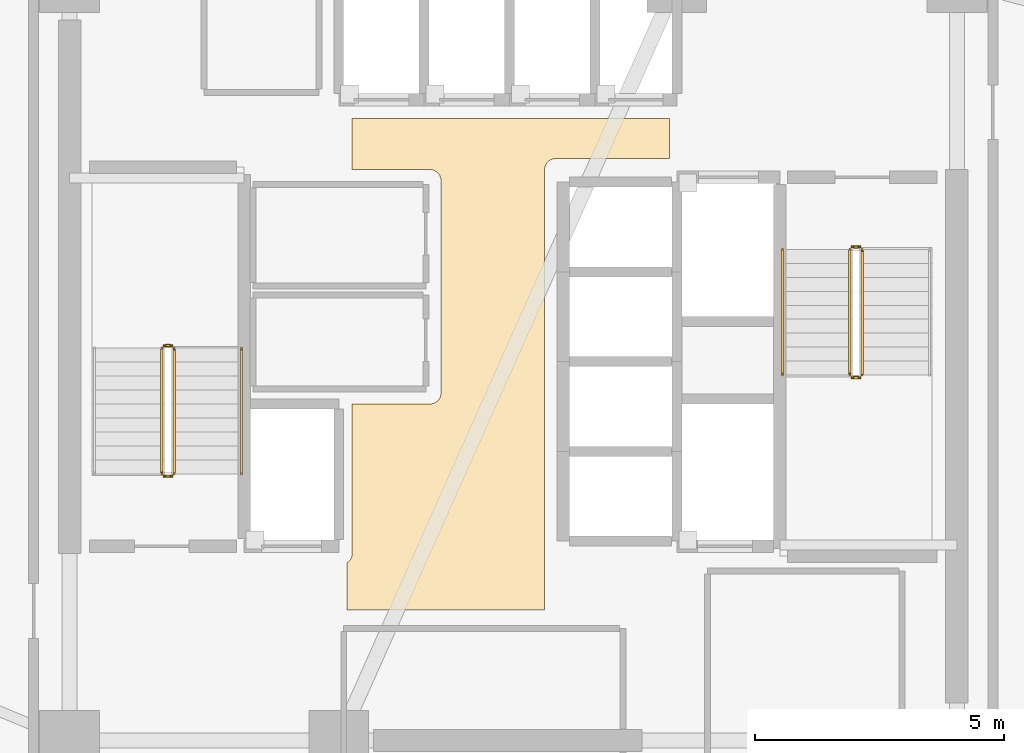
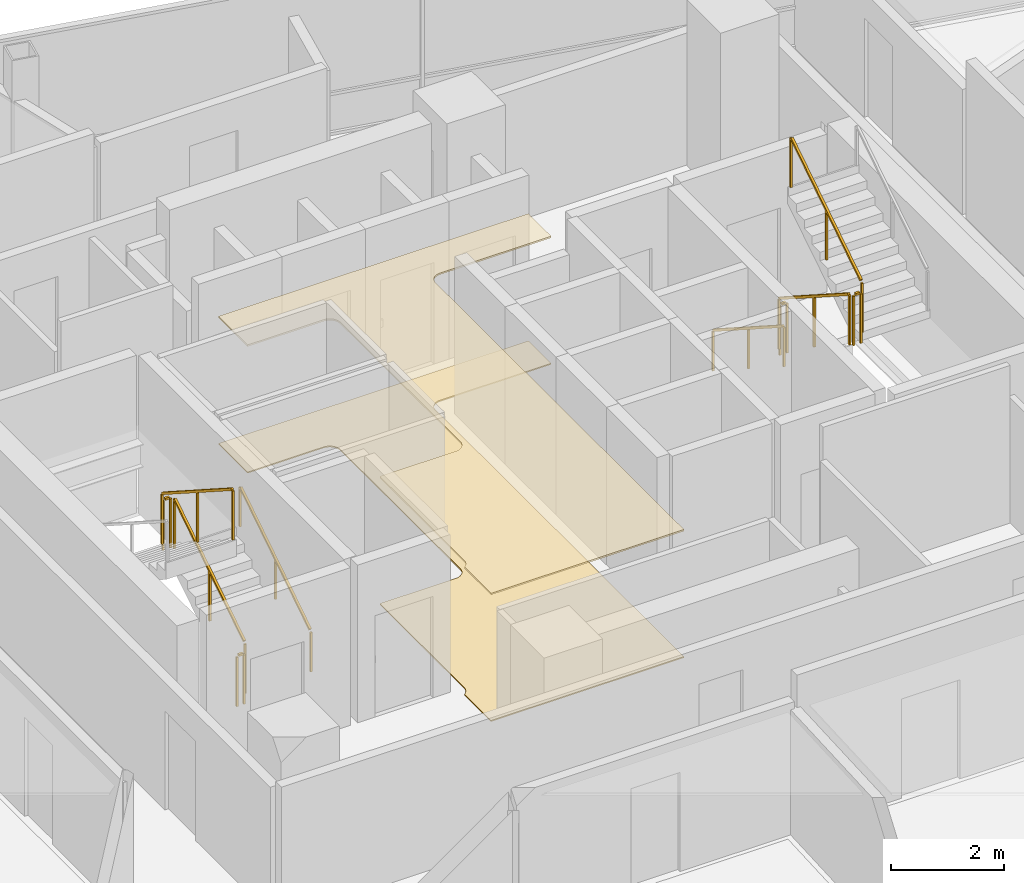
# One storey, part 16 of 17: 10 railings, 2 coverings.
"""IFC4 building model written with IfcOpenShell, lengths in metres."""

from ifc_helpers import new_model, si_unit, direction, frame, origin, origin_2d, place, context, subcontext, project, spatial, polyline, rectangle, outline, extrude, material, layer, layer_set, type_object, element, save


model = new_model("IFC4")

# Units and contexts
model_context = context("Model", 3, precision=1e-05, world=origin(), true_north=direction((0.0, 1.0)))
body_context = subcontext(model_context, "Body", "Model", "MODEL_VIEW")
ifc_project = project(units=[si_unit("LENGTHUNIT", "METRE"), si_unit("AREAUNIT", "SQUARE_METRE"), si_unit("VOLUMEUNIT", "CUBIC_METRE"), si_unit("PLANEANGLEUNIT", "RADIAN"), si_unit("MASSUNIT", "GRAM", prefix="KILO")], contexts=[model_context])

# Site, building, storey
site_placement = place(None, origin())
site = spatial("IfcSite", under=ifc_project, at=site_placement, CompositionType="ELEMENT")
building_placement = place(site_placement, origin())
building = spatial("IfcBuilding", under=site, at=building_placement, Name="Tharavind Bronze Gate", CompositionType="ELEMENT")
storey_placement = place(building_placement, frame((0.0, 0.0, 214.85009765625)))
storey = spatial("IfcBuildingStorey", under=building, at=storey_placement, Name="L55", CompositionType="ELEMENT", Elevation=214.85009765625)

# Coverings
ifc_material_1 = material(Name="Perforated Bronze Acoustic Panel", Category="bronze")
ifc_layer_1 = layer(ifc_material_1, 0.044921875)
ifc_layer_set_1 = layer_set([ifc_layer_1], Name="Perforated Bronze Acoustic Panel")
covering_type_1 = type_object("IfcCoveringType", Name="ACOUSTIC BRONZE BAFFLE CEILING", PredefinedType="CEILING", material=ifc_layer_set_1)
covering_1_placement = place(storey_placement, frame((0.0, 0.0, 2.75)))
element("IfcCovering", 1, at=covering_1_placement, inside=storey, type_object=covering_type_1, Name="L55-C-LL suspended ceiling", PredefinedType="CEILING", context=body_context, shape_type="SweptSolid", body=[
    extrude(outline(polyline([(-3.330078125, -4.97998046875), (0.6298828125, -4.97998046875), (0.6298828125, 3.85009765625), (0.631103515625, 3.87158203125), (0.63427734375, 3.892822265625), (0.639404296875, 3.913818359375), (0.646728515625, 3.93408203125), (0.656005859375, 3.95361328125), (0.6669921875, 3.97216796875), (0.679931640625, 3.989501953125), (0.6943359375, 4.005615234375), (0.71044921875, 4.02001953125), (0.727783203125, 4.032958984375), (0.746337890625, 4.0439453125), (0.765869140625, 4.05322265625), (0.7861328125, 4.060546875), (0.80712890625, 4.06591796875), (0.828369140625, 4.06884765625), (0.85009765625, 4.070068359375), (3.1298828125, 4.070068359375), (3.1298828125, 4.8798828125), (-3.22998046875, 4.8798828125), (-3.22998046875, 3.85009765625), (-1.669921875, 3.85009765625), (-1.6484375, 3.848876953125), (-1.627197265625, 3.845703125), (-1.606201171875, 3.840576171875), (-1.585693359375, 3.833251953125), (-1.56640625, 3.823974609375), (-1.5478515625, 3.81298828125), (-1.530517578125, 3.800048828125), (-1.514404296875, 3.78564453125), (-1.5, 3.76953125), (-1.487060546875, 3.752197265625), (-1.47607421875, 3.733642578125), (-1.466796875, 3.714111328125), (-1.45947265625, 3.69384765625), (-1.4541015625, 3.6728515625), (-1.451171875, 3.651611328125), (-1.449951171875, 3.6298828125), (-1.449951171875, 1.43994140625), (-1.450439453125, 1.429931640625), (-1.449951171875, 1.419921875), (-1.449951171875, -0.6298828125), (-1.451171875, -0.651611328125), (-1.4541015625, -0.6728515625), (-1.45947265625, -0.69384765625), (-1.466796875, -0.714111328125), (-1.47607421875, -0.733642578125), (-1.487060546875, -0.752197265625), (-1.5, -0.76953125), (-1.514404296875, -0.78564453125), (-1.530517578125, -0.800048828125), (-1.5478515625, -0.81298828125), (-1.56640625, -0.823974609375), (-1.585693359375, -0.833251953125), (-1.606201171875, -0.840576171875), (-1.627197265625, -0.845703125), (-1.6484375, -0.848876953125), (-1.669921875, -0.85009765625), (-3.22998046875, -0.85009765625), (-3.22998046875, -3.85009765625), (-3.231201171875, -3.87158203125), (-3.234130859375, -3.892822265625), (-3.239501953125, -3.913818359375), (-3.24658203125, -3.93408203125), (-3.256103515625, -3.95361328125), (-3.26708984375, -3.97216796875), (-3.27978515625, -3.989501953125), (-3.29443359375, -4.005615234375), (-3.310302734375, -4.02001953125), (-3.327880859375, -4.032958984375), (-3.330078125, -4.0341796875), (-3.330078125, -4.97998046875)])), origin(), (0.0, 0.0, 1.0), 0.034912109375),
])
ifc_material_2 = material(Name="Honed Travertine Limestone", Category="masonry")
ifc_layer_2 = layer(ifc_material_2, 0.030029296875)
ifc_layer_set_2 = layer_set([ifc_layer_2], Name="Honed Travertine Limestone")
covering_type_2 = type_object("IfcCoveringType", Name="HONED LIMESTONE FLOORING", PredefinedType="FLOORING", material=ifc_layer_set_2)
covering_2_placement = place(storey_placement, origin())
element("IfcCovering", 2, at=covering_2_placement, inside=storey, type_object=covering_type_2, Name="L55-C-LL floor finish", PredefinedType="FLOORING", context=body_context, shape_type="SweptSolid", body=[
    extrude(outline(polyline([(-3.330078125, -4.97998046875), (0.6298828125, -4.97998046875), (0.6298828125, 3.85009765625), (0.631103515625, 3.87158203125), (0.63427734375, 3.892822265625), (0.639404296875, 3.913818359375), (0.646728515625, 3.93408203125), (0.656005859375, 3.95361328125), (0.6669921875, 3.97216796875), (0.679931640625, 3.989501953125), (0.6943359375, 4.005615234375), (0.71044921875, 4.02001953125), (0.727783203125, 4.032958984375), (0.746337890625, 4.0439453125), (0.765869140625, 4.05322265625), (0.7861328125, 4.060546875), (0.80712890625, 4.06591796875), (0.828369140625, 4.06884765625), (0.85009765625, 4.070068359375), (3.1298828125, 4.070068359375), (3.1298828125, 4.8798828125), (-3.22998046875, 4.8798828125), (-3.22998046875, 3.85009765625), (-1.669921875, 3.85009765625), (-1.6484375, 3.848876953125), (-1.627197265625, 3.845703125), (-1.606201171875, 3.840576171875), (-1.585693359375, 3.833251953125), (-1.56640625, 3.823974609375), (-1.5478515625, 3.81298828125), (-1.530517578125, 3.800048828125), (-1.514404296875, 3.78564453125), (-1.5, 3.76953125), (-1.487060546875, 3.752197265625), (-1.47607421875, 3.733642578125), (-1.466796875, 3.714111328125), (-1.45947265625, 3.69384765625), (-1.4541015625, 3.6728515625), (-1.451171875, 3.651611328125), (-1.449951171875, 3.6298828125), (-1.449951171875, 1.43994140625), (-1.450439453125, 1.429931640625), (-1.449951171875, 1.419921875), (-1.449951171875, -0.6298828125), (-1.451171875, -0.651611328125), (-1.4541015625, -0.6728515625), (-1.45947265625, -0.69384765625), (-1.466796875, -0.714111328125), (-1.47607421875, -0.733642578125), (-1.487060546875, -0.752197265625), (-1.5, -0.76953125), (-1.514404296875, -0.78564453125), (-1.530517578125, -0.800048828125), (-1.5478515625, -0.81298828125), (-1.56640625, -0.823974609375), (-1.585693359375, -0.833251953125), (-1.606201171875, -0.840576171875), (-1.627197265625, -0.845703125), (-1.6484375, -0.848876953125), (-1.669921875, -0.85009765625), (-3.22998046875, -0.85009765625), (-3.22998046875, -3.85009765625), (-3.231201171875, -3.87158203125), (-3.234130859375, -3.892822265625), (-3.239501953125, -3.913818359375), (-3.24658203125, -3.93408203125), (-3.256103515625, -3.95361328125), (-3.26708984375, -3.97216796875), (-3.27978515625, -3.989501953125), (-3.29443359375, -4.005615234375), (-3.310302734375, -4.02001953125), (-3.327880859375, -4.032958984375), (-3.330078125, -4.0341796875), (-3.330078125, -4.97998046875)])), origin(), (0.0, 0.0, 1.0), 0.02490234375),
])

# Railings
ifc_material_3 = material(Name="Brushed Bronze Alloy", Category="metal")
railing_type_1 = type_object("IfcRailingType", Name="STAIR BRONZE HANDRAIL 900", PredefinedType="HANDRAIL", material=ifc_material_3)
railing_1_placement = place(storey_placement, frame((-5.449951171875, -2.25, 0.179931640625)))
element("IfcRailing", 3, at=railing_1_placement, inside=storey, type_object=railing_type_1, Name="L55 ST1 stair handrail 1", PredefinedType="HANDRAIL", context=body_context, shape_type="SweptSolid", body=[
    extrude(rectangle(XDim=0.048095703125, YDim=0.048095703125, at=origin_2d()), frame((0.0, 0.02685546875, 0.89306640625), z_axis=(0.0, 0.841199657755, 0.540724639528), x_axis=(-1.0, 0.0, 0.0)), (0.0, 0.0, 1.0), 2.931640625),
    extrude(rectangle(XDim=0.0400390625, YDim=0.0400390625, at=origin_2d()), origin(), (0.0, 0.0, 1.0), 0.847900390625),
    extrude(rectangle(XDim=0.0400390625, YDim=0.0400390625, at=origin_2d()), frame((0.0, 1.260009765625, 0.81005859375)), (0.0, 0.0, 1.0), 0.847900390625),
    extrude(rectangle(XDim=0.0400390625, YDim=0.0400390625, at=origin_2d()), frame((0.0, 2.52001953125, 1.619873046875)), (0.0, 0.0, 1.0), 0.847900390625),
])
railing_2_placement = place(storey_placement, frame((5.39990234375, 2.25, 0.179931640625)))
element("IfcRailing", 4, at=railing_2_placement, inside=storey, type_object=railing_type_1, Name="L55 ST2 stair handrail 1", PredefinedType="HANDRAIL", context=body_context, shape_type="SweptSolid", body=[
    extrude(rectangle(XDim=0.048095703125, YDim=0.048095703125, at=origin_2d()), frame((0.0, -0.02685546875, 0.89306640625), z_axis=(0.0, -0.841199657755, 0.540724639528), x_axis=(1.0, 0.0, 0.0)), (0.0, 0.0, 1.0), 2.931640625),
    extrude(rectangle(XDim=0.0400390625, YDim=0.0400390625, at=origin_2d()), origin(), (0.0, 0.0, 1.0), 0.847900390625),
    extrude(rectangle(XDim=0.0400390625, YDim=0.0400390625, at=origin_2d()), frame((0.0, -1.260009765625, 0.81005859375)), (0.0, 0.0, 1.0), 0.847900390625),
    extrude(rectangle(XDim=0.0400390625, YDim=0.0400390625, at=origin_2d()), frame((0.0, -2.52001953125, 1.619873046875)), (0.0, 0.0, 1.0), 0.847900390625),
])
railing_type_2 = type_object("IfcRailingType", Name="STAIR WELL GUARD RAILING 1120", PredefinedType="GUARDRAIL", material=ifc_material_3)
railing_3_placement = place(storey_placement, frame((-6.800048828125, -2.25, 0.179931640625)))
element("IfcRailing", 5, at=railing_3_placement, inside=storey, type_object=railing_type_2, Name="L55 ST1 stair guard 1", PredefinedType="GUARDRAIL", context=body_context, shape_type="SweptSolid", body=[
    extrude(rectangle(XDim=0.048095703125, YDim=0.048095703125, at=origin_2d()), frame((0.0, 0.02685546875, 1.11328125), z_axis=(0.0, 0.841199657755, 0.540724639528), x_axis=(-1.0, 0.0, 0.0)), (0.0, 0.0, 1.0), 2.931640625),
    extrude(rectangle(XDim=0.0400390625, YDim=0.0400390625, at=origin_2d()), origin(), (0.0, 0.0, 1.0), 1.068115234375),
    extrude(rectangle(XDim=0.0400390625, YDim=0.0400390625, at=origin_2d()), frame((0.0, 1.260009765625, 0.81005859375)), (0.0, 0.0, 1.0), 1.068115234375),
    extrude(rectangle(XDim=0.0400390625, YDim=0.0400390625, at=origin_2d()), frame((0.0, 2.52001953125, 1.619873046875)), (0.0, 0.0, 1.0), 1.068115234375),
])
railing_4_placement = place(storey_placement, frame((-6.85009765625, 0.320068359375, 1.7998046875)))
element("IfcRailing", 6, at=railing_4_placement, inside=storey, type_object=railing_type_2, Name="L55 ST1 stair guard 2", PredefinedType="GUARDRAIL", context=body_context, shape_type="SweptSolid", body=[
    extrude(rectangle(XDim=0.048095703125, YDim=0.048095703125, at=origin_2d()), frame((-0.031982421875, 0.0, 1.09619140625), z_axis=(-1.0, 0.0, 0.0), x_axis=(0.0, -1.0, 0.0)), (0.0, 0.0, 1.0), 0.0859375),
    extrude(rectangle(XDim=0.0400390625, YDim=0.0400390625, at=origin_2d()), origin(), (0.0, 0.0, 1.0), 1.068115234375),
    extrude(rectangle(XDim=0.0400390625, YDim=0.0400390625, at=origin_2d()), frame((-0.14990234375, 0.0, 0.0)), (0.0, 0.0, 1.0), 1.068115234375),
])
railing_5_placement = place(storey_placement, frame((-7.050048828125, 0.27001953125, 1.97998046875)))
element("IfcRailing", 7, at=railing_5_placement, inside=storey, type_object=railing_type_2, Name="L55 ST1 stair guard 3", PredefinedType="GUARDRAIL", context=body_context, shape_type="SweptSolid", body=[
    extrude(rectangle(XDim=0.048095703125, YDim=0.048095703125, at=origin_2d()), frame((0.0, -0.02685546875, 1.11328125), z_axis=(0.0, -0.841199657755, 0.540724639528), x_axis=(1.0, 0.0, 0.0)), (0.0, 0.0, 1.0), 2.931640625),
    extrude(rectangle(XDim=0.0400390625, YDim=0.0400390625, at=origin_2d()), origin(), (0.0, 0.0, 1.0), 1.068115234375),
    extrude(rectangle(XDim=0.0400390625, YDim=0.0400390625, at=origin_2d()), frame((0.0, -1.260009765625, 0.81005859375)), (0.0, 0.0, 1.0), 1.068115234375),
    extrude(rectangle(XDim=0.0400390625, YDim=0.0400390625, at=origin_2d()), frame((0.0, -2.52001953125, 1.619873046875)), (0.0, 0.0, 1.0), 1.068115234375),
])
railing_6_placement = place(storey_placement, frame((-6.85009765625, -2.300048828125, 0.0)))
element("IfcRailing", 8, at=railing_6_placement, inside=storey, type_object=railing_type_2, Name="L55 ST1 stair guard 4", PredefinedType="GUARDRAIL", context=body_context, shape_type="SweptSolid", body=[
    extrude(rectangle(XDim=0.048095703125, YDim=0.048095703125, at=origin_2d()), frame((-0.031982421875, 0.0, 1.09619140625), z_axis=(-1.0, 0.0, 0.0), x_axis=(0.0, -1.0, 0.0)), (0.0, 0.0, 1.0), 0.0859375),
    extrude(rectangle(XDim=0.0400390625, YDim=0.0400390625, at=origin_2d()), origin(), (0.0, 0.0, 1.0), 1.068115234375),
    extrude(rectangle(XDim=0.0400390625, YDim=0.0400390625, at=origin_2d()), frame((-0.14990234375, 0.0, 0.0)), (0.0, 0.0, 1.0), 1.068115234375),
])
railing_7_placement = place(storey_placement, frame((6.75, 2.25, 0.179931640625)))
element("IfcRailing", 9, at=railing_7_placement, inside=storey, type_object=railing_type_2, Name="L55 ST2 stair guard 1", PredefinedType="GUARDRAIL", context=body_context, shape_type="SweptSolid", body=[
    extrude(rectangle(XDim=0.048095703125, YDim=0.048095703125, at=origin_2d()), frame((0.0, -0.02685546875, 1.11328125), z_axis=(0.0, -0.841199657755, 0.540724639528), x_axis=(1.0, 0.0, 0.0)), (0.0, 0.0, 1.0), 2.931640625),
    extrude(rectangle(XDim=0.0400390625, YDim=0.0400390625, at=origin_2d()), origin(), (0.0, 0.0, 1.0), 1.068115234375),
    extrude(rectangle(XDim=0.0400390625, YDim=0.0400390625, at=origin_2d()), frame((0.0, -1.260009765625, 0.81005859375)), (0.0, 0.0, 1.0), 1.068115234375),
    extrude(rectangle(XDim=0.0400390625, YDim=0.0400390625, at=origin_2d()), frame((0.0, -2.52001953125, 1.619873046875)), (0.0, 0.0, 1.0), 1.068115234375),
])
railing_8_placement = place(storey_placement, frame((6.800048828125, -0.320068359375, 1.7998046875)))
element("IfcRailing", 10, at=railing_8_placement, inside=storey, type_object=railing_type_2, Name="L55 ST2 stair guard 2", PredefinedType="GUARDRAIL", context=body_context, shape_type="SweptSolid", body=[
    extrude(rectangle(XDim=0.048095703125, YDim=0.048095703125, at=origin_2d()), frame((0.031982421875, 0.0, 1.09619140625), z_axis=(1.0, 0.0, 0.0), x_axis=(0.0, 1.0, 0.0)), (0.0, 0.0, 1.0), 0.0859375),
    extrude(rectangle(XDim=0.0400390625, YDim=0.0400390625, at=origin_2d()), origin(), (0.0, 0.0, 1.0), 1.068115234375),
    extrude(rectangle(XDim=0.0400390625, YDim=0.0400390625, at=origin_2d()), frame((0.14990234375, 0.0, 0.0)), (0.0, 0.0, 1.0), 1.068115234375),
])
railing_9_placement = place(storey_placement, frame((7.0, -0.27001953125, 1.97998046875)))
element("IfcRailing", 11, at=railing_9_placement, inside=storey, type_object=railing_type_2, Name="L55 ST2 stair guard 3", PredefinedType="GUARDRAIL", context=body_context, shape_type="SweptSolid", body=[
    extrude(rectangle(XDim=0.048095703125, YDim=0.048095703125, at=origin_2d()), frame((0.0, 0.02685546875, 1.11328125), z_axis=(0.0, 0.841199657755, 0.540724639528), x_axis=(-1.0, 0.0, 0.0)), (0.0, 0.0, 1.0), 2.931640625),
    extrude(rectangle(XDim=0.0400390625, YDim=0.0400390625, at=origin_2d()), origin(), (0.0, 0.0, 1.0), 1.068115234375),
    extrude(rectangle(XDim=0.0400390625, YDim=0.0400390625, at=origin_2d()), frame((0.0, 1.260009765625, 0.81005859375)), (0.0, 0.0, 1.0), 1.068115234375),
    extrude(rectangle(XDim=0.0400390625, YDim=0.0400390625, at=origin_2d()), frame((0.0, 2.52001953125, 1.619873046875)), (0.0, 0.0, 1.0), 1.068115234375),
])
railing_10_placement = place(storey_placement, frame((6.800048828125, 2.300048828125, 0.0)))
element("IfcRailing", 12, at=railing_10_placement, inside=storey, type_object=railing_type_2, Name="L55 ST2 stair guard 4", PredefinedType="GUARDRAIL", context=body_context, shape_type="SweptSolid", body=[
    extrude(rectangle(XDim=0.048095703125, YDim=0.048095703125, at=origin_2d()), frame((0.031982421875, 0.0, 1.09619140625), z_axis=(1.0, 0.0, 0.0), x_axis=(0.0, 1.0, 0.0)), (0.0, 0.0, 1.0), 0.0859375),
    extrude(rectangle(XDim=0.0400390625, YDim=0.0400390625, at=origin_2d()), origin(), (0.0, 0.0, 1.0), 1.068115234375),
    extrude(rectangle(XDim=0.0400390625, YDim=0.0400390625, at=origin_2d()), frame((0.14990234375, 0.0, 0.0)), (0.0, 0.0, 1.0), 1.068115234375),
])

save(model, "model.ifc")
